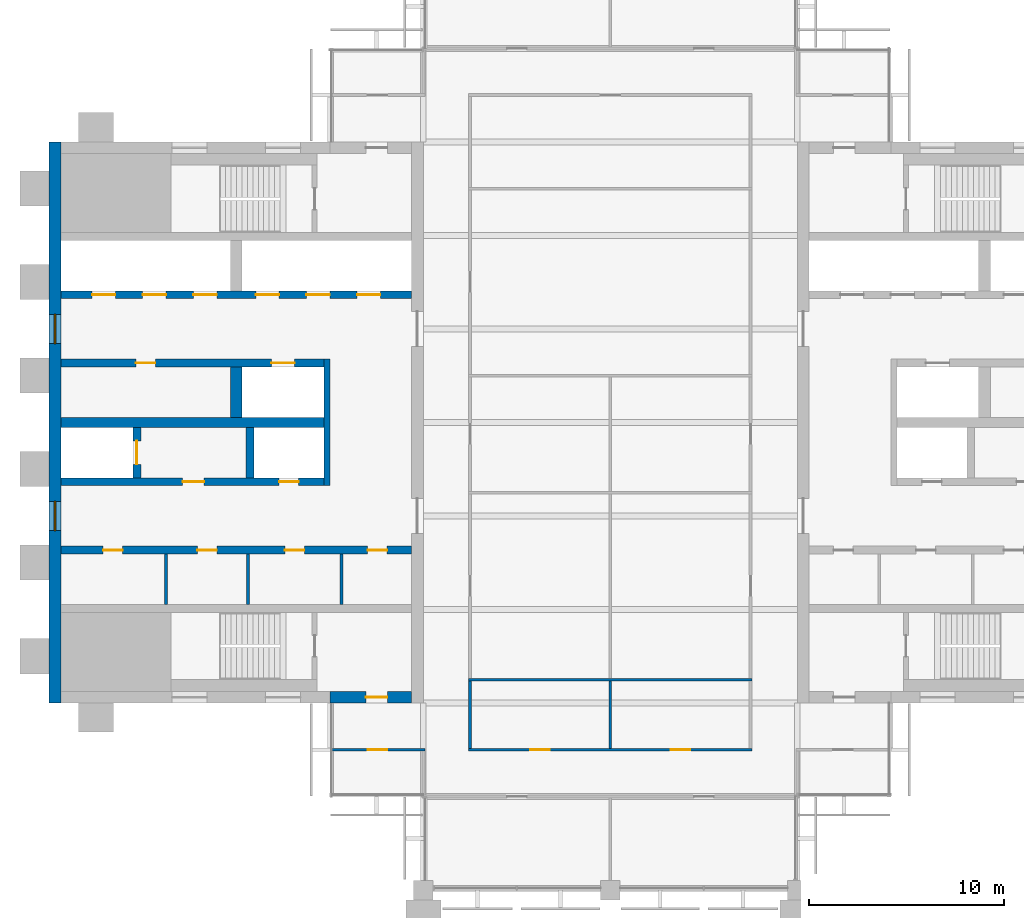
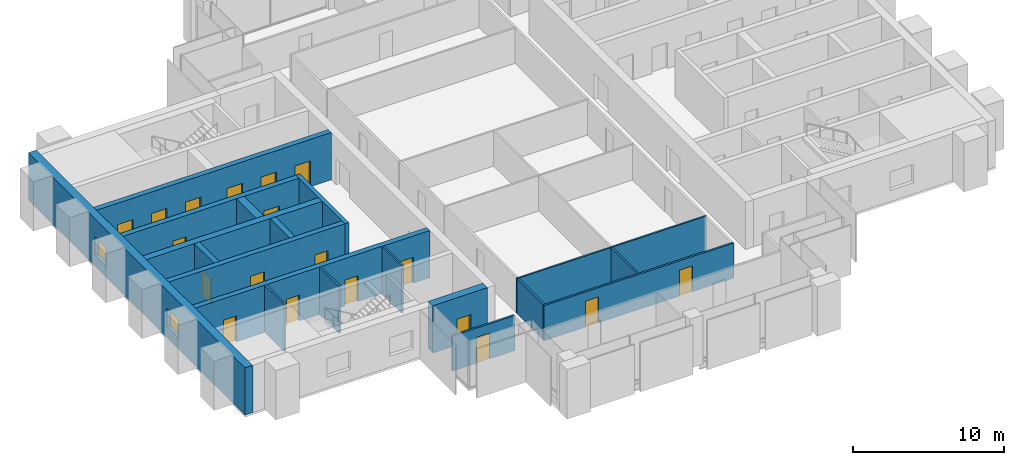
# One storey, part 8 of 12: 19 doors, 19 walls, 2 windows, 21 openings.
"""IFC4 building model written with IfcOpenShell, lengths in metres."""

from ifc_helpers import new_model, si_unit, direction, frame, frame_2d, origin, place, context, subcontext, project, spatial, rectangle, extrude, material, layer, layer_set, type_object, element, fill, save


model = new_model("IFC4")

# Units and contexts
model_context = context("Model", 3, precision=1e-05, world=origin(), true_north=direction((0.0, 1.0)))
body_context = subcontext(model_context, "Body", "Model", "MODEL_VIEW")
ifc_project = project(units=[si_unit("LENGTHUNIT", "METRE"), si_unit("AREAUNIT", "SQUARE_METRE"), si_unit("VOLUMEUNIT", "CUBIC_METRE"), si_unit("PLANEANGLEUNIT", "RADIAN"), si_unit("MASSUNIT", "GRAM", prefix="KILO")], contexts=[model_context])

# Site, building, storey
site_placement = place(None, origin())
site = spatial("IfcSite", under=ifc_project, at=site_placement, CompositionType="ELEMENT")
building_placement = place(site_placement, origin())
building = spatial("IfcBuilding", under=site, at=building_placement, Name="Baori Bourse Tower", CompositionType="ELEMENT")
storey_placement = place(building_placement, frame((0.0, 0.0, 310.300048828125)))
storey = spatial("IfcBuildingStorey", under=building, at=storey_placement, Name="L68", CompositionType="ELEMENT", Elevation=310.300048828125)

# Walls
ifc_material_1 = material(Name="Blockwork partition", Category="masonry")
ifc_layer_1 = layer(ifc_material_1, 0.14990234375)
ifc_layer_set_1 = layer_set([ifc_layer_1], Name="Core partition 150")
wall_type_1 = type_object("IfcWallType", Name="Core partition 150", PredefinedType="PARTITIONING", material=ifc_layer_set_1)
for number, where, z_axis, x_axis, name in (
    (1, (6.0, 14.64990234375, 0.0), (0.0, 0.0, 1.0), (0.0, 1.0, 0.0), "Partition wall W09"),
    (2, (10.199951171875, 14.64990234375, 0.0), (0.0, 0.0, 1.0), (0.0, 1.0, 0.0), "Partition wall W10"),
    (3, (15.0, 14.64990234375, 0.0), (0.0, 0.0, 1.0), (0.0, 1.0, 0.0), "Partition wall W11"),
):
    element("IfcWall", number, at=place(storey_placement, frame(where, z_axis=z_axis, x_axis=x_axis)), inside=storey, type_object=wall_type_1, Name=name, PredefinedType="PARTITIONING", context=body_context, shape_type="SweptSolid", body=[
        extrude(rectangle(XDim=2.60009765625, YDim=0.14990234375, at=frame_2d((1.300048828125, 0.0))), origin(), (0.0, 0.0, 1.0), 3.83984375),
    ])

# Wall, openings, windows
ifc_material_2 = material(Name="Concrete f'c 40 MPa", Category="concrete")
ifc_layer_2 = layer(ifc_material_2, 0.60009765625)
ifc_layer_set_2 = layer_set([ifc_layer_2], Name="Core wall 600 f'c 40")
wall_type_2 = type_object("IfcWallType", Name="Core wall 600 f'c 40", PredefinedType="SHEAR", material=ifc_layer_set_2)
wall_1_placement = place(storey_placement, frame((0.300048828125, 9.60009765625, 0.0), z_axis=(0.0, 0.0, 1.0), x_axis=(0.0, 1.0, 0.0)))
wall_1 = element("IfcWall", 4, at=wall_1_placement, inside=storey, type_object=wall_type_2, Name="Core wall W01", PredefinedType="SHEAR", context=body_context, shape_type="SweptSolid", body=[
    extrude(rectangle(XDim=28.7998046875, YDim=0.60009765625, at=frame_2d((14.39990234375, 0.0))), origin(), (0.0, 0.0, 1.0), 3.83984375),
])
opening_1_placement = place(wall_1_placement, frame((8.85009765625, 0.0, 0.89990234375)))
opening_1 = element("IfcOpeningElement", 5, at=opening_1_placement, cuts=wall_1, Name="Opening L68-KW101", PredefinedType="OPENING", context=body_context, shape_type="SweptSolid", body=[
    extrude(rectangle(XDim=1.5, YDim=1.5, at=frame_2d((0.75, 0.75))), frame((0.0, 0.31005859375, 0.0), z_axis=(0.0, -1.0, 0.0), x_axis=(1.0, 0.0, 0.0)), (0.0, 0.0, 1.0), 0.6201171875),
])
opening_2_placement = place(wall_1_placement, frame((18.449951171875, 0.0, 0.89990234375)))
opening_2 = element("IfcOpeningElement", 6, at=opening_2_placement, cuts=wall_1, Name="Opening L68-KW102", PredefinedType="OPENING", context=body_context, shape_type="SweptSolid", body=[
    extrude(rectangle(XDim=1.5, YDim=1.5, at=frame_2d((0.75, 0.75))), frame((0.0, 0.31005859375, 0.0), z_axis=(0.0, -1.0, 0.0), x_axis=(1.0, 0.0, 0.0)), (0.0, 0.0, 1.0), 0.6201171875),
])
ifc_material_3 = material(Name="Pale anodised aluminium", Category="aluminium")
window_type = type_object("IfcWindowType", Name="Lobby window 1500 x 1500", PartitioningType="SINGLE_PANEL", PredefinedType="WINDOW", material=ifc_material_3)
window_1_placement = place(opening_1_placement, origin())
window_1 = element("IfcWindow", 7, at=window_1_placement, inside=storey, type_object=window_type, Name="Outer wall window W L68 1", OverallHeight=1.5, OverallWidth=1.5, PartitioningType="SINGLE_PANEL", PredefinedType="WINDOW", context=body_context, shape_type="SweptSolid", body=[
    extrude(rectangle(XDim=1.5, YDim=1.5, at=frame_2d((0.75, 0.75))), frame((0.0, 0.030029296875, 0.0), z_axis=(0.0, -1.0, 0.0), x_axis=(1.0, 0.0, 0.0)), (0.0, 0.0, 1.0), 0.06005859375),
])
fill(opening_1, window_1)
window_2_placement = place(opening_2_placement, origin())
window_2 = element("IfcWindow", 8, at=window_2_placement, inside=storey, type_object=window_type, Name="Outer wall window W L68 2", OverallHeight=1.5, OverallWidth=1.5, PartitioningType="SINGLE_PANEL", PredefinedType="WINDOW", context=body_context, shape_type="SweptSolid", body=[
    extrude(rectangle(XDim=1.5, YDim=1.5, at=frame_2d((0.75, 0.75))), frame((0.0, 0.030029296875, 0.0), z_axis=(0.0, -1.0, 0.0), x_axis=(1.0, 0.0, 0.0)), (0.0, 0.0, 1.0), 0.06005859375),
])
fill(opening_2, window_2)

# Wall, opening, door
wall_2_placement = place(storey_placement, frame((18.60009765625, 9.89990234375, 0.0), z_axis=(0.0, 0.0, 1.0), x_axis=(-1.0, 0.0, 0.0)))
wall_2 = element("IfcWall", 9, at=wall_2_placement, inside=storey, type_object=wall_type_2, Name="Core wall W03", PredefinedType="SHEAR", context=body_context, shape_type="SweptSolid", body=[
    extrude(rectangle(XDim=4.2001953125, YDim=0.60009765625, at=frame_2d((2.10009765625, 0.0))), origin(), (0.0, 0.0, 1.0), 3.83984375),
])
opening_3_placement = place(wall_2_placement, frame((1.25, 0.0, 0.0)))
opening_3 = element("IfcOpeningElement", 10, at=opening_3_placement, cuts=wall_2, Name="Opening L68-D102", PredefinedType="OPENING", context=body_context, shape_type="SweptSolid", body=[
    extrude(rectangle(XDim=1.10009765625, YDim=2.10009765625, at=frame_2d((0.550048828125, 1.050048828125))), frame((0.0, 0.31005859375, 0.0), z_axis=(0.0, -1.0, 0.0), x_axis=(1.0, 0.0, 0.0)), (0.0, 0.0, 1.0), 0.6201171875),
])
ifc_material_4 = material(Name="Painted steel door", Category="steel")
door_type_1 = type_object("IfcDoorType", Name="Stair door 1100", OperationType="SINGLE_SWING_LEFT", PredefinedType="DOOR", material=ifc_material_4)
door_1_placement = place(opening_3_placement, origin())
door_1 = element("IfcDoor", 11, at=door_1_placement, inside=storey, type_object=door_type_1, Name="Stair vestibule door A W L68", OperationType="SINGLE_SWING_LEFT", OverallHeight=2.10009765625, OverallWidth=1.10009765625, PredefinedType="DOOR", context=body_context, shape_type="SweptSolid", body=[
    extrude(rectangle(XDim=1.10009765625, YDim=2.10009765625, at=frame_2d((0.550048828125, 1.050048828125))), frame((0.0, 0.02490234375, 0.0), z_axis=(0.0, -1.0, 0.0), x_axis=(1.0, 0.0, 0.0)), (0.0, 0.0, 1.0), 0.050048828125),
])
fill(opening_3, door_1)

ifc_material_5 = material(Name="Gypsum board partition")
ifc_layer_3 = layer(ifc_material_5, 0.14990234375)
ifc_layer_set_3 = layer_set([ifc_layer_3], Name="Corridor partition 150")
wall_type_3 = type_object("IfcWallType", Name="Corridor partition 150", PredefinedType="PARTITIONING", material=ifc_layer_set_3)
wall_3_placement = place(storey_placement, frame((14.5, 7.199951171875, 0.0), z_axis=(0.0, 0.0, 1.0), x_axis=(1.0, 0.0, 0.0)))
wall_3 = element("IfcWall", 12, at=wall_3_placement, inside=storey, type_object=wall_type_3, Name="Partition", PredefinedType="PARTITIONING", context=body_context, shape_type="SweptSolid", body=[
    extrude(rectangle(XDim=4.77490234375, YDim=0.14990234375, at=frame_2d((2.387451171875, 0.0))), origin(), (0.0, 0.0, 1.0), 2.849365234375),
])
opening_4_placement = place(wall_3_placement, frame((1.85009765625, 0.0, 0.0)))
opening_4 = element("IfcOpeningElement", 13, at=opening_4_placement, cuts=wall_3, Name="Opening L68-D03", PredefinedType="OPENING", context=body_context, shape_type="SweptSolid", body=[
    extrude(rectangle(XDim=1.0, YDim=2.10009765625, at=frame_2d((0.5, 1.050048828125))), frame((0.0, 0.0849609375, 0.0), z_axis=(0.0, -1.0, 0.0), x_axis=(1.0, 0.0, 0.0)), (0.0, 0.0, 1.0), 0.169921875),
])
ifc_material_6 = material(Name="Timber door leaf", Category="wood")
door_type_2 = type_object("IfcDoorType", Name="Door 1000 x 2100", OperationType="SINGLE_SWING_LEFT", PredefinedType="DOOR", material=ifc_material_6)
door_2_placement = place(opening_4_placement, origin())
door_2 = element("IfcDoor", 14, at=door_2_placement, inside=storey, type_object=door_type_2, Name="Door", OperationType="SINGLE_SWING_LEFT", OverallHeight=2.10009765625, OverallWidth=1.0, PredefinedType="DOOR", context=body_context, shape_type="SweptSolid", body=[
    extrude(rectangle(XDim=1.0, YDim=2.10009765625, at=frame_2d((0.5, 1.050048828125))), frame((0.0, 0.02490234375, 0.0), z_axis=(0.0, -1.0, 0.0), x_axis=(1.0, 0.0, 0.0)), (0.0, 0.0, 1.0), 0.050048828125),
])
fill(opening_4, door_2)

# Wall, openings, doors
wall_4_placement = place(storey_placement, frame((21.52490234375, 7.199951171875, 0.0), z_axis=(0.0, 0.0, 1.0), x_axis=(1.0, 0.0, 0.0)))
wall_4 = element("IfcWall", 15, at=wall_4_placement, inside=storey, type_object=wall_type_3, Name="Partition", PredefinedType="PARTITIONING", context=body_context, shape_type="SweptSolid", body=[
    extrude(rectangle(XDim=14.550048828125, YDim=0.14990234375, at=frame_2d((7.27490234375, 0.0))), origin(), (0.0, 0.0, 1.0), 2.849365234375),
])
opening_5_placement = place(wall_4_placement, frame((3.175048828125, 0.0, 0.0)))
opening_5 = element("IfcOpeningElement", 16, at=opening_5_placement, cuts=wall_4, Name="Opening L68-D04", PredefinedType="OPENING", context=body_context, shape_type="SweptSolid", body=[
    extrude(rectangle(XDim=1.0, YDim=2.10009765625, at=frame_2d((0.5, 1.050048828125))), frame((0.0, 0.0849609375, 0.0), z_axis=(0.0, -1.0, 0.0), x_axis=(1.0, 0.0, 0.0)), (0.0, 0.0, 1.0), 0.169921875),
])
opening_6_placement = place(wall_4_placement, frame((10.375, 0.0, 0.0)))
opening_6 = element("IfcOpeningElement", 17, at=opening_6_placement, cuts=wall_4, Name="Opening L68-D05", PredefinedType="OPENING", context=body_context, shape_type="SweptSolid", body=[
    extrude(rectangle(XDim=1.0, YDim=2.10009765625, at=frame_2d((0.5, 1.050048828125))), frame((0.0, 0.0849609375, 0.0), z_axis=(0.0, -1.0, 0.0), x_axis=(1.0, 0.0, 0.0)), (0.0, 0.0, 1.0), 0.169921875),
])
door_3_placement = place(opening_5_placement, origin())
door_3 = element("IfcDoor", 18, at=door_3_placement, inside=storey, type_object=door_type_2, Name="Door", OperationType="SINGLE_SWING_RIGHT", OverallHeight=2.10009765625, OverallWidth=1.0, PredefinedType="DOOR", context=body_context, shape_type="SweptSolid", body=[
    extrude(rectangle(XDim=1.0, YDim=2.10009765625, at=frame_2d((0.5, 1.050048828125))), frame((0.0, 0.02490234375, 0.0), z_axis=(0.0, -1.0, 0.0), x_axis=(1.0, 0.0, 0.0)), (0.0, 0.0, 1.0), 0.050048828125),
])
fill(opening_5, door_3)
door_4_placement = place(opening_6_placement, origin())
door_4 = element("IfcDoor", 19, at=door_4_placement, inside=storey, type_object=door_type_2, Name="Door", OperationType="SINGLE_SWING_LEFT", OverallHeight=2.10009765625, OverallWidth=1.0, PredefinedType="DOOR", context=body_context, shape_type="SweptSolid", body=[
    extrude(rectangle(XDim=1.0, YDim=2.10009765625, at=frame_2d((0.5, 1.050048828125))), frame((0.0, 0.02490234375, 0.0), z_axis=(0.0, -1.0, 0.0), x_axis=(1.0, 0.0, 0.0)), (0.0, 0.0, 1.0), 0.050048828125),
])
fill(opening_6, door_4)

# Walls
wall_5_placement = place(storey_placement, frame((21.60009765625, 7.27490234375, 0.0), z_axis=(0.0, 0.0, 1.0), x_axis=(0.0, 1.0, 0.0)))
element("IfcWall", 20, at=wall_5_placement, inside=storey, type_object=wall_type_3, Name="Partition", PredefinedType="PARTITIONING", context=body_context, shape_type="SweptSolid", body=[
    extrude(rectangle(XDim=3.462646484375, YDim=0.14990234375, at=frame_2d((1.7314453125, 0.0))), origin(), (0.0, 0.0, 1.0), 2.849365234375),
])
ifc_material_7 = material(Name="Gypsum board partition")
ifc_layer_4 = layer(ifc_material_7, 0.125)
ifc_layer_set_4 = layer_set([ifc_layer_4], Name="Partition 125")
wall_type_4 = type_object("IfcWallType", Name="Partition 125", PredefinedType="PARTITIONING", material=ifc_layer_set_4)
wall_6_placement = place(storey_placement, frame((21.52490234375, 10.800048828125, 0.0), z_axis=(0.0, 0.0, 1.0), x_axis=(1.0, 0.0, 0.0)))
element("IfcWall", 21, at=wall_6_placement, inside=storey, type_object=wall_type_4, Name="Partition", PredefinedType="PARTITIONING", context=body_context, shape_type="SweptSolid", body=[
    extrude(rectangle(XDim=14.550048828125, YDim=0.125, at=frame_2d((7.27490234375, 0.0))), origin(), (0.0, 0.0, 1.0), 2.849365234375),
])
wall_7_placement = place(storey_placement, frame((28.800048828125, 7.27490234375, 0.0), z_axis=(0.0, 0.0, 1.0), x_axis=(0.0, 1.0, 0.0)))
element("IfcWall", 22, at=wall_7_placement, inside=storey, type_object=wall_type_4, Name="Partition", PredefinedType="PARTITIONING", context=body_context, shape_type="SweptSolid", body=[
    extrude(rectangle(XDim=3.462646484375, YDim=0.125, at=frame_2d((1.7314453125, 0.0))), origin(), (0.0, 0.0, 1.0), 2.849365234375),
])
ifc_material_8 = material(Name="Concrete f'c 40 MPa", Category="concrete")
ifc_layer_5 = layer(ifc_material_8, 0.300048828125)
ifc_layer_set_5 = layer_set([ifc_layer_5], Name="Shaft wall 300 f'c 40")
wall_type_5 = type_object("IfcWallType", Name="Shaft wall 300 f'c 40", PredefinedType="SHEAR", material=ifc_layer_set_5)
wall_8_placement = place(storey_placement, frame((14.25, 20.75, 0.0), z_axis=(0.0, 0.0, 1.0), x_axis=(0.0, 1.0, 0.0)))
element("IfcWall", 23, at=wall_8_placement, inside=storey, type_object=wall_type_5, Name="Core wall W14", PredefinedType="SHEAR", context=body_context, shape_type="SweptSolid", body=[
    extrude(rectangle(XDim=6.5, YDim=0.300048828125, at=frame_2d((3.25, 0.0))), origin(), (0.0, 0.0, 1.0), 3.83984375),
])

# Wall, openings, doors
ifc_material_9 = material(Name="Concrete f'c 40 MPa", Category="concrete")
ifc_layer_6 = layer(ifc_material_9, 0.39990234375)
ifc_layer_set_6 = layer_set([ifc_layer_6], Name="Shaft wall 400 f'c 40")
wall_type_6 = type_object("IfcWallType", Name="Shaft wall 400 f'c 40", PredefinedType="SHEAR", material=ifc_layer_set_6)
wall_9_placement = place(storey_placement, frame((0.60009765625, 17.449951171875, 0.0), z_axis=(0.0, 0.0, 1.0), x_axis=(1.0, 0.0, 0.0)))
wall_9 = element("IfcWall", 24, at=wall_9_placement, inside=storey, type_object=wall_type_6, Name="Core wall W12", PredefinedType="SHEAR", context=body_context, shape_type="SweptSolid", body=[
    extrude(rectangle(XDim=18.0, YDim=0.39990234375, at=frame_2d((9.0, 0.0))), origin(), (0.0, 0.0, 1.0), 3.83984375),
])
opening_7_placement = place(wall_9_placement, frame((2.16259765625, 0.0, 0.0)))
opening_7 = element("IfcOpeningElement", 25, at=opening_7_placement, cuts=wall_9, Name="Opening L68-D109", PredefinedType="OPENING", context=body_context, shape_type="SweptSolid", body=[
    extrude(rectangle(XDim=1.0, YDim=2.10009765625, at=frame_2d((0.5, 1.050048828125))), frame((0.0, 0.2099609375, 0.0), z_axis=(0.0, -1.0, 0.0), x_axis=(1.0, 0.0, 0.0)), (0.0, 0.0, 1.0), 0.419921875),
])
opening_8_placement = place(wall_9_placement, frame((7.0, 0.0, 0.0)))
opening_8 = element("IfcOpeningElement", 26, at=opening_8_placement, cuts=wall_9, Name="Opening L68-D110", PredefinedType="OPENING", context=body_context, shape_type="SweptSolid", body=[
    extrude(rectangle(XDim=1.0, YDim=2.10009765625, at=frame_2d((0.5, 1.050048828125))), frame((0.0, 0.2099609375, 0.0), z_axis=(0.0, -1.0, 0.0), x_axis=(1.0, 0.0, 0.0)), (0.0, 0.0, 1.0), 0.419921875),
])
opening_9_placement = place(wall_9_placement, frame((11.5, 0.0, 0.0)))
opening_9 = element("IfcOpeningElement", 27, at=opening_9_placement, cuts=wall_9, Name="Opening L68-D111", PredefinedType="OPENING", context=body_context, shape_type="SweptSolid", body=[
    extrude(rectangle(XDim=1.0, YDim=2.10009765625, at=frame_2d((0.5, 1.050048828125))), frame((0.0, 0.2099609375, 0.0), z_axis=(0.0, -1.0, 0.0), x_axis=(1.0, 0.0, 0.0)), (0.0, 0.0, 1.0), 0.419921875),
])
opening_10_placement = place(wall_9_placement, frame((15.737548828125, 0.0, 0.0)))
opening_10 = element("IfcOpeningElement", 28, at=opening_10_placement, cuts=wall_9, Name="Opening L68-D112", PredefinedType="OPENING", context=body_context, shape_type="SweptSolid", body=[
    extrude(rectangle(XDim=1.0, YDim=2.10009765625, at=frame_2d((0.5, 1.050048828125))), frame((0.0, 0.2099609375, 0.0), z_axis=(0.0, -1.0, 0.0), x_axis=(1.0, 0.0, 0.0)), (0.0, 0.0, 1.0), 0.419921875),
])
ifc_material_10 = material(Name="Painted steel door", Category="steel")
door_type_3 = type_object("IfcDoorType", Name="Core door 1000", OperationType="SINGLE_SWING_LEFT", PredefinedType="DOOR", material=ifc_material_10)
door_5_placement = place(opening_7_placement, origin())
door_5 = element("IfcDoor", 29, at=door_5_placement, inside=storey, type_object=door_type_3, Name="Men'S Wc door W L68", OperationType="SINGLE_SWING_LEFT", OverallHeight=2.10009765625, OverallWidth=1.0, PredefinedType="DOOR", context=body_context, shape_type="SweptSolid", body=[
    extrude(rectangle(XDim=1.0, YDim=2.10009765625, at=frame_2d((0.5, 1.050048828125))), frame((0.0, 0.02490234375, 0.0), z_axis=(0.0, -1.0, 0.0), x_axis=(1.0, 0.0, 0.0)), (0.0, 0.0, 1.0), 0.050048828125),
])
fill(opening_7, door_5)
door_6_placement = place(opening_8_placement, origin())
door_6 = element("IfcDoor", 30, at=door_6_placement, inside=storey, type_object=door_type_3, Name="Accessible Wc door W L68", OperationType="SINGLE_SWING_LEFT", OverallHeight=2.10009765625, OverallWidth=1.0, PredefinedType="DOOR", context=body_context, shape_type="SweptSolid", body=[
    extrude(rectangle(XDim=1.0, YDim=2.10009765625, at=frame_2d((0.5, 1.050048828125))), frame((0.0, 0.02490234375, 0.0), z_axis=(0.0, -1.0, 0.0), x_axis=(1.0, 0.0, 0.0)), (0.0, 0.0, 1.0), 0.050048828125),
])
fill(opening_8, door_6)
door_7_placement = place(opening_9_placement, origin())
door_7 = element("IfcDoor", 31, at=door_7_placement, inside=storey, type_object=door_type_3, Name="Women'S Wc door W L68", OperationType="SINGLE_SWING_LEFT", OverallHeight=2.10009765625, OverallWidth=1.0, PredefinedType="DOOR", context=body_context, shape_type="SweptSolid", body=[
    extrude(rectangle(XDim=1.0, YDim=2.10009765625, at=frame_2d((0.5, 1.050048828125))), frame((0.0, 0.02490234375, 0.0), z_axis=(0.0, -1.0, 0.0), x_axis=(1.0, 0.0, 0.0)), (0.0, 0.0, 1.0), 0.050048828125),
])
fill(opening_9, door_7)
ifc_material_11 = material(Name="Painted steel door", Category="steel")
door_type_4 = type_object("IfcDoorType", Name="Plant room door 1000", OperationType="SINGLE_SWING_LEFT", PredefinedType="DOOR", material=ifc_material_11)
door_8_placement = place(opening_10_placement, origin())
door_8 = element("IfcDoor", 32, at=door_8_placement, inside=storey, type_object=door_type_4, Name="Communications Room door W L68", OperationType="SINGLE_SWING_LEFT", OverallHeight=2.10009765625, OverallWidth=1.0, PredefinedType="DOOR", context=body_context, shape_type="SweptSolid", body=[
    extrude(rectangle(XDim=1.0, YDim=2.10009765625, at=frame_2d((0.5, 1.050048828125))), frame((0.0, 0.02490234375, 0.0), z_axis=(0.0, -1.0, 0.0), x_axis=(1.0, 0.0, 0.0)), (0.0, 0.0, 1.0), 0.050048828125),
])
fill(opening_10, door_8)

wall_10_placement = place(storey_placement, frame((0.60009765625, 20.949951171875, 0.0), z_axis=(0.0, 0.0, 1.0), x_axis=(1.0, 0.0, 0.0)))
wall_10 = element("IfcWall", 33, at=wall_10_placement, inside=storey, type_object=wall_type_6, Name="Core wall W13", PredefinedType="SHEAR", context=body_context, shape_type="SweptSolid", body=[
    extrude(rectangle(XDim=13.5, YDim=0.39990234375, at=frame_2d((6.75, 0.0))), origin(), (0.0, 0.0, 1.0), 3.83984375),
])
opening_11_placement = place(wall_10_placement, frame((6.25, 0.0, 0.0)))
opening_11 = element("IfcOpeningElement", 34, at=opening_11_placement, cuts=wall_10, Name="Opening L68-D105", PredefinedType="OPENING", context=body_context, shape_type="SweptSolid", body=[
    extrude(rectangle(XDim=1.10009765625, YDim=2.10009765625, at=frame_2d((0.550048828125, 1.050048828125))), frame((0.0, 0.2099609375, 0.0), z_axis=(0.0, -1.0, 0.0), x_axis=(1.0, 0.0, 0.0)), (0.0, 0.0, 1.0), 0.419921875),
])
opening_12_placement = place(wall_10_placement, frame((11.199951171875, 0.0, 0.0)))
opening_12 = element("IfcOpeningElement", 35, at=opening_12_placement, cuts=wall_10, Name="Opening L68-D106", PredefinedType="OPENING", context=body_context, shape_type="SweptSolid", body=[
    extrude(rectangle(XDim=1.0, YDim=2.10009765625, at=frame_2d((0.5, 1.050048828125))), frame((0.0, 0.2099609375, 0.0), z_axis=(0.0, -1.0, 0.0), x_axis=(1.0, 0.0, 0.0)), (0.0, 0.0, 1.0), 0.419921875),
])
ifc_material_12 = material(Name="Painted steel door", Category="steel")
door_type_5 = type_object("IfcDoorType", Name="Lobby door 1100", OperationType="SINGLE_SWING_LEFT", PredefinedType="DOOR", material=ifc_material_12)
door_9_placement = place(opening_11_placement, origin())
door_9 = element("IfcDoor", 36, at=door_9_placement, inside=storey, type_object=door_type_5, Name="Firefighting lobby door W L68", OperationType="SINGLE_SWING_LEFT", OverallHeight=2.10009765625, OverallWidth=1.10009765625, PredefinedType="DOOR", context=body_context, shape_type="SweptSolid", body=[
    extrude(rectangle(XDim=1.10009765625, YDim=2.10009765625, at=frame_2d((0.550048828125, 1.050048828125))), frame((0.0, 0.02490234375, 0.0), z_axis=(0.0, -1.0, 0.0), x_axis=(1.0, 0.0, 0.0)), (0.0, 0.0, 1.0), 0.050048828125),
])
fill(opening_11, door_9)
ifc_material_13 = material(Name="Painted steel door", Category="steel")
door_type_6 = type_object("IfcDoorType", Name="Shaft door 1000", OperationType="SINGLE_SWING_LEFT", PredefinedType="DOOR", material=ifc_material_13)
door_10_placement = place(opening_12_placement, origin())
door_10 = element("IfcDoor", 37, at=door_10_placement, inside=storey, type_object=door_type_6, Name="Riser room door W L68", OperationType="SINGLE_SWING_LEFT", OverallHeight=2.10009765625, OverallWidth=1.0, PredefinedType="DOOR", context=body_context, shape_type="SweptSolid", body=[
    extrude(rectangle(XDim=1.0, YDim=2.10009765625, at=frame_2d((0.5, 1.050048828125))), frame((0.0, 0.02490234375, 0.0), z_axis=(0.0, -1.0, 0.0), x_axis=(1.0, 0.0, 0.0)), (0.0, 0.0, 1.0), 0.050048828125),
])
fill(opening_12, door_10)

# Wall, opening, door
wall_11_placement = place(storey_placement, frame((4.5, 21.14990234375, 0.0), z_axis=(0.0, 0.0, 1.0), x_axis=(0.0, 1.0, 0.0)))
wall_11 = element("IfcWall", 38, at=wall_11_placement, inside=storey, type_object=wall_type_6, Name="Core wall W15", PredefinedType="SHEAR", context=body_context, shape_type="SweptSolid", body=[
    extrude(rectangle(XDim=2.60009765625, YDim=0.39990234375, at=frame_2d((1.300048828125, 0.0))), origin(), (0.0, 0.0, 1.0), 3.83984375),
])
opening_13_placement = place(wall_11_placement, frame((0.699951171875, 0.0, 0.0)))
opening_13 = element("IfcOpeningElement", 39, at=opening_13_placement, cuts=wall_11, Name="Opening L68-D121", PredefinedType="OPENING", context=body_context, shape_type="SweptSolid", body=[
    extrude(rectangle(XDim=1.199951171875, YDim=2.10009765625, at=frame_2d((0.60009765625, 1.050048828125))), frame((0.0, 0.2099609375, 0.0), z_axis=(0.0, -1.0, 0.0), x_axis=(1.0, 0.0, 0.0)), (0.0, 0.0, 1.0), 0.419921875),
])
ifc_material_14 = material(Name="Stainless steel door", Category="steel")
door_type_7 = type_object("IfcDoorType", Name="Lift landing door", OperationType="DOUBLE_DOOR_SLIDING", PredefinedType="DOOR", material=ifc_material_14)
door_11_placement = place(opening_13_placement, origin())
door_11 = element("IfcDoor", 40, at=door_11_placement, inside=storey, type_object=door_type_7, Name="Lift landing door FF1 W L68", OperationType="DOUBLE_DOOR_SLIDING", OverallHeight=2.10009765625, OverallWidth=1.199951171875, PredefinedType="DOOR", context=body_context, shape_type="SweptSolid", body=[
    extrude(rectangle(XDim=1.199951171875, YDim=2.10009765625, at=frame_2d((0.60009765625, 1.050048828125))), frame((0.0, 0.02490234375, 0.0), z_axis=(0.0, -1.0, 0.0), x_axis=(1.0, 0.0, 0.0)), (0.0, 0.0, 1.0), 0.050048828125),
])
fill(opening_13, door_11)

# Wall
wall_12_placement = place(storey_placement, frame((10.300048828125, 21.14990234375, 0.0), z_axis=(0.0, 0.0, 1.0), x_axis=(0.0, 1.0, 0.0)))
element("IfcWall", 41, at=wall_12_placement, inside=storey, type_object=wall_type_6, Name="Core wall W16", PredefinedType="SHEAR", context=body_context, shape_type="SweptSolid", body=[
    extrude(rectangle(XDim=2.60009765625, YDim=0.39990234375, at=frame_2d((1.300048828125, 0.0))), origin(), (0.0, 0.0, 1.0), 3.83984375),
])

# Wall, openings, doors
wall_13_placement = place(storey_placement, frame((0.60009765625, 27.050048828125, 0.0), z_axis=(0.0, 0.0, 1.0), x_axis=(1.0, 0.0, 0.0)))
wall_13 = element("IfcWall", 42, at=wall_13_placement, inside=storey, type_object=wall_type_6, Name="Core wall W19", PredefinedType="SHEAR", context=body_context, shape_type="SweptSolid", body=[
    extrude(rectangle(XDim=13.5, YDim=0.39990234375, at=frame_2d((6.75, 0.0))), origin(), (0.0, 0.0, 1.0), 3.83984375),
])
opening_14_placement = place(wall_13_placement, frame((3.85009765625, 0.0, 0.0)))
opening_14 = element("IfcOpeningElement", 43, at=opening_14_placement, cuts=wall_13, Name="Opening L68-D113", PredefinedType="OPENING", context=body_context, shape_type="SweptSolid", body=[
    extrude(rectangle(XDim=1.0, YDim=2.10009765625, at=frame_2d((0.5, 1.050048828125))), frame((0.0, 0.2099609375, 0.0), z_axis=(0.0, -1.0, 0.0), x_axis=(1.0, 0.0, 0.0)), (0.0, 0.0, 1.0), 0.419921875),
])
opening_15_placement = place(wall_13_placement, frame((10.800048828125, 0.0, 0.0)))
opening_15 = element("IfcOpeningElement", 44, at=opening_15_placement, cuts=wall_13, Name="Opening L68-D120", PredefinedType="OPENING", context=body_context, shape_type="SweptSolid", body=[
    extrude(rectangle(XDim=1.199951171875, YDim=2.10009765625, at=frame_2d((0.60009765625, 1.050048828125))), frame((0.0, 0.2099609375, 0.0), z_axis=(0.0, -1.0, 0.0), x_axis=(1.0, 0.0, 0.0)), (0.0, 0.0, 1.0), 0.419921875),
])
door_12_placement = place(opening_14_placement, origin())
door_12 = element("IfcDoor", 45, at=door_12_placement, inside=storey, type_object=door_type_3, Name="Pantry door W L68", OperationType="SINGLE_SWING_LEFT", OverallHeight=2.10009765625, OverallWidth=1.0, PredefinedType="DOOR", context=body_context, shape_type="SweptSolid", body=[
    extrude(rectangle(XDim=1.0, YDim=2.10009765625, at=frame_2d((0.5, 1.050048828125))), frame((0.0, 0.02490234375, 0.0), z_axis=(0.0, -1.0, 0.0), x_axis=(1.0, 0.0, 0.0)), (0.0, 0.0, 1.0), 0.050048828125),
])
fill(opening_14, door_12)
door_13_placement = place(opening_15_placement, origin())
door_13 = element("IfcDoor", 46, at=door_13_placement, inside=storey, type_object=door_type_7, Name="Lift landing door SV1 W L68", OperationType="DOUBLE_DOOR_SLIDING", OverallHeight=2.10009765625, OverallWidth=1.199951171875, PredefinedType="DOOR", context=body_context, shape_type="SweptSolid", body=[
    extrude(rectangle(XDim=1.199951171875, YDim=2.10009765625, at=frame_2d((0.60009765625, 1.050048828125))), frame((0.0, 0.02490234375, 0.0), z_axis=(0.0, -1.0, 0.0), x_axis=(1.0, 0.0, 0.0)), (0.0, 0.0, 1.0), 0.050048828125),
])
fill(opening_15, door_13)

wall_14_placement = place(storey_placement, frame((0.60009765625, 30.550048828125, 0.0), z_axis=(0.0, 0.0, 1.0), x_axis=(1.0, 0.0, 0.0)))
wall_14 = element("IfcWall", 47, at=wall_14_placement, inside=storey, type_object=wall_type_6, Name="Core wall W20", PredefinedType="SHEAR", context=body_context, shape_type="SweptSolid", body=[
    extrude(rectangle(XDim=18.0, YDim=0.39990234375, at=frame_2d((9.0, 0.0))), origin(), (0.0, 0.0, 1.0), 3.83984375),
])
opening_16_placement = place(wall_14_placement, frame((1.60009765625, 0.0, 0.0)))
opening_16 = element("IfcOpeningElement", 48, at=opening_16_placement, cuts=wall_14, Name="Opening L68-D114", PredefinedType="OPENING", context=body_context, shape_type="SweptSolid", body=[
    extrude(rectangle(XDim=1.199951171875, YDim=2.10009765625, at=frame_2d((0.60009765625, 1.050048828125))), frame((0.0, 0.2099609375, 0.0), z_axis=(0.0, -1.0, 0.0), x_axis=(1.0, 0.0, 0.0)), (0.0, 0.0, 1.0), 0.419921875),
])
opening_17_placement = place(wall_14_placement, frame((4.199951171875, 0.0, 0.0)))
opening_17 = element("IfcOpeningElement", 49, at=opening_17_placement, cuts=wall_14, Name="Opening L68-D115", PredefinedType="OPENING", context=body_context, shape_type="SweptSolid", body=[
    extrude(rectangle(XDim=1.199951171875, YDim=2.10009765625, at=frame_2d((0.60009765625, 1.050048828125))), frame((0.0, 0.2099609375, 0.0), z_axis=(0.0, -1.0, 0.0), x_axis=(1.0, 0.0, 0.0)), (0.0, 0.0, 1.0), 0.419921875),
])
opening_18_placement = place(wall_14_placement, frame((6.800048828125, 0.0, 0.0)))
opening_18 = element("IfcOpeningElement", 50, at=opening_18_placement, cuts=wall_14, Name="Opening L68-D116", PredefinedType="OPENING", context=body_context, shape_type="SweptSolid", body=[
    extrude(rectangle(XDim=1.199951171875, YDim=2.10009765625, at=frame_2d((0.60009765625, 1.050048828125))), frame((0.0, 0.2099609375, 0.0), z_axis=(0.0, -1.0, 0.0), x_axis=(1.0, 0.0, 0.0)), (0.0, 0.0, 1.0), 0.419921875),
])
opening_19_placement = place(wall_14_placement, frame((10.0, 0.0, 0.0)))
opening_19 = element("IfcOpeningElement", 51, at=opening_19_placement, cuts=wall_14, Name="Opening L68-D117", PredefinedType="OPENING", context=body_context, shape_type="SweptSolid", body=[
    extrude(rectangle(XDim=1.199951171875, YDim=2.10009765625, at=frame_2d((0.60009765625, 1.050048828125))), frame((0.0, 0.2099609375, 0.0), z_axis=(0.0, -1.0, 0.0), x_axis=(1.0, 0.0, 0.0)), (0.0, 0.0, 1.0), 0.419921875),
])
opening_20_placement = place(wall_14_placement, frame((12.60009765625, 0.0, 0.0)))
opening_20 = element("IfcOpeningElement", 52, at=opening_20_placement, cuts=wall_14, Name="Opening L68-D118", PredefinedType="OPENING", context=body_context, shape_type="SweptSolid", body=[
    extrude(rectangle(XDim=1.199951171875, YDim=2.10009765625, at=frame_2d((0.60009765625, 1.050048828125))), frame((0.0, 0.2099609375, 0.0), z_axis=(0.0, -1.0, 0.0), x_axis=(1.0, 0.0, 0.0)), (0.0, 0.0, 1.0), 0.419921875),
])
opening_21_placement = place(wall_14_placement, frame((15.199951171875, 0.0, 0.0)))
opening_21 = element("IfcOpeningElement", 53, at=opening_21_placement, cuts=wall_14, Name="Opening L68-D119", PredefinedType="OPENING", context=body_context, shape_type="SweptSolid", body=[
    extrude(rectangle(XDim=1.199951171875, YDim=2.10009765625, at=frame_2d((0.60009765625, 1.050048828125))), frame((0.0, 0.2099609375, 0.0), z_axis=(0.0, -1.0, 0.0), x_axis=(1.0, 0.0, 0.0)), (0.0, 0.0, 1.0), 0.419921875),
])
door_14_placement = place(opening_16_placement, origin())
door_14 = element("IfcDoor", 54, at=door_14_placement, inside=storey, type_object=door_type_7, Name="Lift landing door HR1 W L68", OperationType="DOUBLE_DOOR_SLIDING", OverallHeight=2.10009765625, OverallWidth=1.199951171875, PredefinedType="DOOR", context=body_context, shape_type="SweptSolid", body=[
    extrude(rectangle(XDim=1.199951171875, YDim=2.10009765625, at=frame_2d((0.60009765625, 1.050048828125))), frame((0.0, 0.02490234375, 0.0), z_axis=(0.0, -1.0, 0.0), x_axis=(1.0, 0.0, 0.0)), (0.0, 0.0, 1.0), 0.050048828125),
])
fill(opening_16, door_14)
door_15_placement = place(opening_17_placement, origin())
door_15 = element("IfcDoor", 55, at=door_15_placement, inside=storey, type_object=door_type_7, Name="Lift landing door HR2 W L68", OperationType="DOUBLE_DOOR_SLIDING", OverallHeight=2.10009765625, OverallWidth=1.199951171875, PredefinedType="DOOR", context=body_context, shape_type="SweptSolid", body=[
    extrude(rectangle(XDim=1.199951171875, YDim=2.10009765625, at=frame_2d((0.60009765625, 1.050048828125))), frame((0.0, 0.02490234375, 0.0), z_axis=(0.0, -1.0, 0.0), x_axis=(1.0, 0.0, 0.0)), (0.0, 0.0, 1.0), 0.050048828125),
])
fill(opening_17, door_15)
door_16_placement = place(opening_18_placement, origin())
door_16 = element("IfcDoor", 56, at=door_16_placement, inside=storey, type_object=door_type_7, Name="Lift landing door HR3 W L68", OperationType="DOUBLE_DOOR_SLIDING", OverallHeight=2.10009765625, OverallWidth=1.199951171875, PredefinedType="DOOR", context=body_context, shape_type="SweptSolid", body=[
    extrude(rectangle(XDim=1.199951171875, YDim=2.10009765625, at=frame_2d((0.60009765625, 1.050048828125))), frame((0.0, 0.02490234375, 0.0), z_axis=(0.0, -1.0, 0.0), x_axis=(1.0, 0.0, 0.0)), (0.0, 0.0, 1.0), 0.050048828125),
])
fill(opening_18, door_16)
door_17_placement = place(opening_19_placement, origin())
door_17 = element("IfcDoor", 57, at=door_17_placement, inside=storey, type_object=door_type_7, Name="Lift landing door HR4 W L68", OperationType="DOUBLE_DOOR_SLIDING", OverallHeight=2.10009765625, OverallWidth=1.199951171875, PredefinedType="DOOR", context=body_context, shape_type="SweptSolid", body=[
    extrude(rectangle(XDim=1.199951171875, YDim=2.10009765625, at=frame_2d((0.60009765625, 1.050048828125))), frame((0.0, 0.02490234375, 0.0), z_axis=(0.0, -1.0, 0.0), x_axis=(1.0, 0.0, 0.0)), (0.0, 0.0, 1.0), 0.050048828125),
])
fill(opening_19, door_17)
door_18_placement = place(opening_20_placement, origin())
door_18 = element("IfcDoor", 58, at=door_18_placement, inside=storey, type_object=door_type_7, Name="Lift landing door HR5 W L68", OperationType="DOUBLE_DOOR_SLIDING", OverallHeight=2.10009765625, OverallWidth=1.199951171875, PredefinedType="DOOR", context=body_context, shape_type="SweptSolid", body=[
    extrude(rectangle(XDim=1.199951171875, YDim=2.10009765625, at=frame_2d((0.60009765625, 1.050048828125))), frame((0.0, 0.02490234375, 0.0), z_axis=(0.0, -1.0, 0.0), x_axis=(1.0, 0.0, 0.0)), (0.0, 0.0, 1.0), 0.050048828125),
])
fill(opening_20, door_18)
door_19_placement = place(opening_21_placement, origin())
door_19 = element("IfcDoor", 59, at=door_19_placement, inside=storey, type_object=door_type_7, Name="Lift landing door HR6 W L68", OperationType="DOUBLE_DOOR_SLIDING", OverallHeight=2.10009765625, OverallWidth=1.199951171875, PredefinedType="DOOR", context=body_context, shape_type="SweptSolid", body=[
    extrude(rectangle(XDim=1.199951171875, YDim=2.10009765625, at=frame_2d((0.60009765625, 1.050048828125))), frame((0.0, 0.02490234375, 0.0), z_axis=(0.0, -1.0, 0.0), x_axis=(1.0, 0.0, 0.0)), (0.0, 0.0, 1.0), 0.050048828125),
])
fill(opening_21, door_19)

# Walls
ifc_material_15 = material(Name="Concrete f'c 40 MPa", Category="concrete")
ifc_layer_7 = layer(ifc_material_15, 0.5)
ifc_layer_set_7 = layer_set([ifc_layer_7], Name="Shaft wall 500 f'c 40")
wall_type_7 = type_object("IfcWallType", Name="Shaft wall 500 f'c 40", PredefinedType="SHEAR", material=ifc_layer_set_7)
wall_15_placement = place(storey_placement, frame((0.60009765625, 24.0, 0.0), z_axis=(0.0, 0.0, 1.0), x_axis=(1.0, 0.0, 0.0)))
element("IfcWall", 60, at=wall_15_placement, inside=storey, type_object=wall_type_7, Name="Core wall W17", PredefinedType="SHEAR", context=body_context, shape_type="SweptSolid", body=[
    extrude(rectangle(XDim=13.5, YDim=0.5, at=frame_2d((6.75, 0.0))), origin(), (0.0, 0.0, 1.0), 3.83984375),
])
ifc_material_16 = material(Name="Concrete f'c 40 MPa", Category="concrete")
ifc_layer_8 = layer(ifc_material_16, 0.60009765625)
ifc_layer_set_8 = layer_set([ifc_layer_8], Name="Shaft wall 600 f'c 40")
wall_type_8 = type_object("IfcWallType", Name="Shaft wall 600 f'c 40", PredefinedType="SHEAR", material=ifc_layer_set_8)
wall_16_placement = place(storey_placement, frame((9.60009765625, 24.25, 0.0), z_axis=(0.0, 0.0, 1.0), x_axis=(0.0, 1.0, 0.0)))
element("IfcWall", 61, at=wall_16_placement, inside=storey, type_object=wall_type_8, Name="Core wall W18", PredefinedType="SHEAR", context=body_context, shape_type="SweptSolid", body=[
    extrude(rectangle(XDim=2.60009765625, YDim=0.60009765625, at=frame_2d((1.300048828125, 0.0))), origin(), (0.0, 0.0, 1.0), 3.83984375),
])

save(model, "model.ifc")
